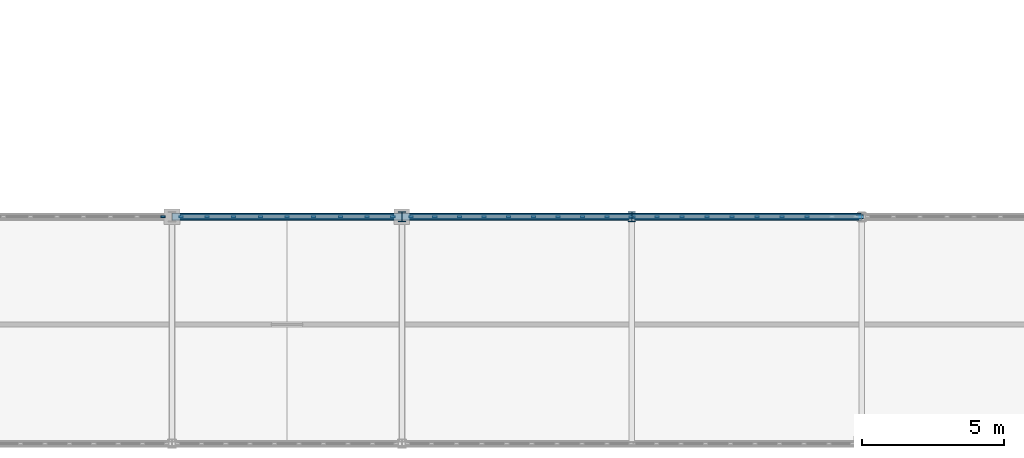
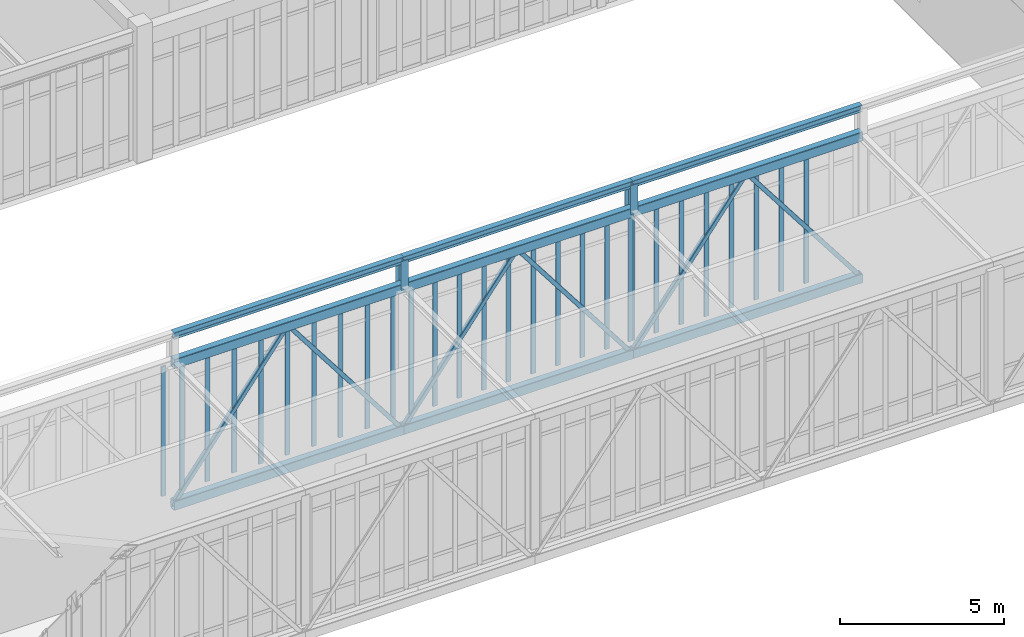
# One storey, part 32 of 107: 42 members, 3 beams, 4 elements without a shape of their own.
"""IFC4 building model written with IfcOpenShell, lengths in metres."""

from ifc_helpers import new_model, si_unit, direction, frame, origin, origin_2d, place, context, subcontext, project, spatial, rectangle, hollow_rectangle, i_section, extrude, material, material_profile, profile_set, type_object, element, aggregate, save


model = new_model("IFC4")

# Units and contexts
model_context = context("Model", 3, precision=1e-05, world=origin(), true_north=direction((0.0, 1.0)))
body_context = subcontext(model_context, "Body", "Model", "MODEL_VIEW")
ifc_project = project(units=[si_unit("LENGTHUNIT", "METRE"), si_unit("AREAUNIT", "SQUARE_METRE"), si_unit("VOLUMEUNIT", "CUBIC_METRE"), si_unit("PLANEANGLEUNIT", "RADIAN"), si_unit("MASSUNIT", "GRAM", prefix="KILO")], contexts=[model_context])

# Site, building, storey
site_placement = place(None, origin())
site = spatial("IfcSite", under=ifc_project, at=site_placement, CompositionType="ELEMENT")
building_placement = place(site_placement, origin())
building = spatial("IfcBuilding", under=site, at=building_placement, Name="Tarnveldt Square Police Headquarters", CompositionType="ELEMENT")
storey_placement = place(building_placement, frame((0.0, 0.0, 14.699951171875)))
storey = spatial("IfcBuildingStorey", under=building, at=storey_placement, Name="L03", CompositionType="ELEMENT", Elevation=14.699951171875)

# Beams
ifc_material_1 = material(Name="Steel 350W", Category="steel")
ifc_material_profile_1 = material_profile(ifc_material_1, i_section(OverallWidth=0.202880859375, OverallDepth=0.251953125, WebThickness=0.008056640625, FlangeThickness=0.013427734375, FilletRadius=0.012939453125, at=origin_2d()), Name="W250x58")
ifc_profile_set_1 = profile_set([ifc_material_profile_1], Name="Steel 350W")
beam_type = type_object("IfcBeamType", Name="BM-W250x58", PredefinedType="BEAM", material=ifc_profile_set_1)
for number, where, z_axis, x_axis, name in (
    (1, (72.89990234375, 80.0, 5.89013671875), (1.0, 0.0, 0.0), (0.0, 1.0, 0.0), "Skybridge SBN High Eave Beam 4"),
    (2, (81.0, 80.0, 5.89013671875), (1.0, 0.0, 0.0), (0.0, 1.0, 0.0), "Skybridge SBN High Eave Beam 5"),
):
    element("IfcBeam", number, at=place(storey_placement, frame(where, z_axis=z_axis, x_axis=x_axis)), inside=storey, type_object=beam_type, Name=name, PredefinedType="BEAM", context=body_context, shape_type="SweptSolid", body=[
        extrude(i_section(OverallWidth=0.202880859375, OverallDepth=0.251953125, WebThickness=0.008056640625, FlangeThickness=0.013427734375, FilletRadius=0.012939453125, at=origin_2d()), origin(), (0.0, 0.0, 1.0), 8.10009765625),
    ])
beam_placement = place(storey_placement, frame((89.10009765625, 80.0, 5.89013671875), z_axis=(1.0, 0.0, 0.0), x_axis=(0.0, 1.0, 0.0)))
element("IfcBeam", 3, at=beam_placement, inside=storey, type_object=beam_type, Name="Skybridge SBN High Eave Beam 6", PredefinedType="BEAM", context=body_context, shape_type="SweptSolid", body=[
    extrude(i_section(OverallWidth=0.202880859375, OverallDepth=0.251953125, WebThickness=0.008056640625, FlangeThickness=0.013427734375, FilletRadius=0.012939453125, at=origin_2d()), origin(), (0.0, 0.0, 1.0), 8.099853515625),
])

# Curtain wall, member
ifc_material_2 = material(Name="Triple-glazed low-e laminated vision glass", Category="glass")
curtain_wall_type_1 = type_object("IfcCurtainWallType", Name="CW-SB-752x484", PredefinedType="USERDEFINED", material=ifc_material_2)
curtain_wall_1_placement = place(storey_placement, origin())
curtain_wall_1 = element("IfcCurtainWall", 4, at=curtain_wall_1_placement, inside=storey, type_object=curtain_wall_type_1, Name="L03 Curtain Wall CW-L03-161", ObjectType="GLAZED CURTAIN WALL", PredefinedType="USERDEFINED")
ifc_material_3 = material(Name="Thermally broken anodised aluminium 6063-T6", Category="aluminium")
ifc_material_profile_2 = material_profile(ifc_material_3, rectangle(XDim=0.06494140625, YDim=0.159912109375, at=origin_2d()), Name="CW-M65x160")
ifc_profile_set_2 = profile_set([ifc_material_profile_2], Name="Thermally broken anodised aluminium 6063-T6")
member_type_1 = type_object("IfcMemberType", Name="CWM-65x160", PredefinedType="MULLION", material=ifc_profile_set_2)
member_1_placement = place(storey_placement, frame((72.577392578125, 80.0, 0.0), z_axis=(0.0, 0.0, 1.0), x_axis=(0.0, 1.0, 0.0)))
member_1 = element("IfcMember", 5, at=member_1_placement, type_object=member_type_1, Name="CW-SB95 mullion 9", PredefinedType="MULLION", context=body_context, shape_type="SweptSolid", body=[
    extrude(rectangle(XDim=0.06494140625, YDim=0.159912109375, at=origin_2d()), origin(), (0.0, 0.0, 1.0), 4.840087890625),
])
aggregate(curtain_wall_1, [member_1])

# Curtain wall, members
curtain_wall_2_placement = place(storey_placement, origin())
curtain_wall_2 = element("IfcCurtainWall", 6, at=curtain_wall_2_placement, inside=storey, type_object=curtain_wall_type_1, Name="L03 Curtain Wall CW-L03-162", ObjectType="GLAZED CURTAIN WALL", PredefinedType="USERDEFINED")
member_2_placement = place(storey_placement, frame((73.222412109375, 80.0, 0.0), z_axis=(0.0, 0.0, 1.0), x_axis=(0.0, 1.0, 0.0)))
member_2 = element("IfcMember", 7, at=member_2_placement, type_object=member_type_1, Name="CW-SB95 mullion 1", PredefinedType="MULLION", context=body_context, shape_type="SweptSolid", body=[
    extrude(rectangle(XDim=0.06494140625, YDim=0.159912109375, at=origin_2d()), origin(), (0.0, 0.0, 1.0), 4.840087890625),
])
member_3_placement = place(storey_placement, frame((74.1298828125, 80.0, 0.0), z_axis=(0.0, 0.0, 1.0), x_axis=(0.0, 1.0, 0.0)))
member_3 = element("IfcMember", 8, at=member_3_placement, type_object=member_type_1, Name="CW-SB95 mullion 2", PredefinedType="MULLION", context=body_context, shape_type="SweptSolid", body=[
    extrude(rectangle(XDim=0.06494140625, YDim=0.159912109375, at=origin_2d()), origin(), (0.0, 0.0, 1.0), 4.840087890625),
])
member_4_placement = place(storey_placement, frame((75.070068359375, 80.0, 0.0), z_axis=(0.0, 0.0, 1.0), x_axis=(0.0, 1.0, 0.0)))
member_4 = element("IfcMember", 9, at=member_4_placement, type_object=member_type_1, Name="CW-SB95 mullion 3", PredefinedType="MULLION", context=body_context, shape_type="SweptSolid", body=[
    extrude(rectangle(XDim=0.06494140625, YDim=0.159912109375, at=origin_2d()), origin(), (0.0, 0.0, 1.0), 4.840087890625),
])
member_5_placement = place(storey_placement, frame((76.010009765625, 80.0, 0.0), z_axis=(0.0, 0.0, 1.0), x_axis=(0.0, 1.0, 0.0)))
member_5 = element("IfcMember", 10, at=member_5_placement, type_object=member_type_1, Name="CW-SB95 mullion 4", PredefinedType="MULLION", context=body_context, shape_type="SweptSolid", body=[
    extrude(rectangle(XDim=0.06494140625, YDim=0.159912109375, at=origin_2d()), origin(), (0.0, 0.0, 1.0), 4.840087890625),
])
member_6_placement = place(storey_placement, frame((76.949951171875, 80.0, 0.0), z_axis=(0.0, 0.0, 1.0), x_axis=(0.0, 1.0, 0.0)))
member_6 = element("IfcMember", 11, at=member_6_placement, type_object=member_type_1, Name="CW-SB95 mullion 5", PredefinedType="MULLION", context=body_context, shape_type="SweptSolid", body=[
    extrude(rectangle(XDim=0.06494140625, YDim=0.159912109375, at=origin_2d()), origin(), (0.0, 0.0, 1.0), 4.840087890625),
])
member_7_placement = place(storey_placement, frame((77.889892578125, 80.0, 0.0), z_axis=(0.0, 0.0, 1.0), x_axis=(0.0, 1.0, 0.0)))
member_7 = element("IfcMember", 12, at=member_7_placement, type_object=member_type_1, Name="CW-SB95 mullion 6", PredefinedType="MULLION", context=body_context, shape_type="SweptSolid", body=[
    extrude(rectangle(XDim=0.06494140625, YDim=0.159912109375, at=origin_2d()), origin(), (0.0, 0.0, 1.0), 4.840087890625),
])
member_8_placement = place(storey_placement, frame((78.830078125, 80.0, 0.0), z_axis=(0.0, 0.0, 1.0), x_axis=(0.0, 1.0, 0.0)))
member_8 = element("IfcMember", 13, at=member_8_placement, type_object=member_type_1, Name="CW-SB95 mullion 7", PredefinedType="MULLION", context=body_context, shape_type="SweptSolid", body=[
    extrude(rectangle(XDim=0.06494140625, YDim=0.159912109375, at=origin_2d()), origin(), (0.0, 0.0, 1.0), 4.840087890625),
])
member_9_placement = place(storey_placement, frame((79.77001953125, 80.0, 0.0), z_axis=(0.0, 0.0, 1.0), x_axis=(0.0, 1.0, 0.0)))
member_9 = element("IfcMember", 14, at=member_9_placement, type_object=member_type_1, Name="CW-SB95 mullion 8", PredefinedType="MULLION", context=body_context, shape_type="SweptSolid", body=[
    extrude(rectangle(XDim=0.06494140625, YDim=0.159912109375, at=origin_2d()), origin(), (0.0, 0.0, 1.0), 4.840087890625),
])
member_10_placement = place(storey_placement, frame((80.677490234375, 80.0, 0.0), z_axis=(0.0, 0.0, 1.0), x_axis=(0.0, 1.0, 0.0)))
member_10 = element("IfcMember", 15, at=member_10_placement, type_object=member_type_1, Name="CW-SB95 mullion 9", PredefinedType="MULLION", context=body_context, shape_type="SweptSolid", body=[
    extrude(rectangle(XDim=0.06494140625, YDim=0.159912109375, at=origin_2d()), origin(), (0.0, 0.0, 1.0), 4.840087890625),
])
aggregate(curtain_wall_2, [member_2, member_3, member_4, member_5, member_6, member_7, member_8, member_9, member_10])

curtain_wall_type_2 = type_object("IfcCurtainWallType", Name="CW-SB-781x484", PredefinedType="USERDEFINED", material=ifc_material_2)
curtain_wall_3_placement = place(storey_placement, origin())
curtain_wall_3 = element("IfcCurtainWall", 16, at=curtain_wall_3_placement, inside=storey, type_object=curtain_wall_type_2, Name="L03 Curtain Wall CW-L03-163", ObjectType="GLAZED CURTAIN WALL", PredefinedType="USERDEFINED")
member_11_placement = place(storey_placement, frame((81.322509765625, 80.0, 0.0), z_axis=(0.0, 0.0, 1.0), x_axis=(0.0, 1.0, 0.0)))
member_11 = element("IfcMember", 17, at=member_11_placement, type_object=member_type_1, Name="CW-SB92 mullion 1", PredefinedType="MULLION", context=body_context, shape_type="SweptSolid", body=[
    extrude(rectangle(XDim=0.06494140625, YDim=0.159912109375, at=origin_2d()), origin(), (0.0, 0.0, 1.0), 4.840087890625),
])
member_12_placement = place(storey_placement, frame((82.15771484375, 80.0, 0.0), z_axis=(0.0, 0.0, 1.0), x_axis=(0.0, 1.0, 0.0)))
member_12 = element("IfcMember", 18, at=member_12_placement, type_object=member_type_1, Name="CW-SB92 mullion 2", PredefinedType="MULLION", context=body_context, shape_type="SweptSolid", body=[
    extrude(rectangle(XDim=0.06494140625, YDim=0.159912109375, at=origin_2d()), origin(), (0.0, 0.0, 1.0), 4.840087890625),
])
member_13_placement = place(storey_placement, frame((83.025634765625, 80.0, 0.0), z_axis=(0.0, 0.0, 1.0), x_axis=(0.0, 1.0, 0.0)))
member_13 = element("IfcMember", 19, at=member_13_placement, type_object=member_type_1, Name="CW-SB92 mullion 3", PredefinedType="MULLION", context=body_context, shape_type="SweptSolid", body=[
    extrude(rectangle(XDim=0.06494140625, YDim=0.159912109375, at=origin_2d()), origin(), (0.0, 0.0, 1.0), 4.840087890625),
])
member_14_placement = place(storey_placement, frame((83.893310546875, 80.0, 0.0), z_axis=(0.0, 0.0, 1.0), x_axis=(0.0, 1.0, 0.0)))
member_14 = element("IfcMember", 20, at=member_14_placement, type_object=member_type_1, Name="CW-SB92 mullion 4", PredefinedType="MULLION", context=body_context, shape_type="SweptSolid", body=[
    extrude(rectangle(XDim=0.06494140625, YDim=0.159912109375, at=origin_2d()), origin(), (0.0, 0.0, 1.0), 4.840087890625),
])
member_15_placement = place(storey_placement, frame((84.76123046875, 80.0, 0.0), z_axis=(0.0, 0.0, 1.0), x_axis=(0.0, 1.0, 0.0)))
member_15 = element("IfcMember", 21, at=member_15_placement, type_object=member_type_1, Name="CW-SB92 mullion 5", PredefinedType="MULLION", context=body_context, shape_type="SweptSolid", body=[
    extrude(rectangle(XDim=0.06494140625, YDim=0.159912109375, at=origin_2d()), origin(), (0.0, 0.0, 1.0), 4.840087890625),
])
member_16_placement = place(storey_placement, frame((85.62890625, 80.0, 0.0), z_axis=(0.0, 0.0, 1.0), x_axis=(0.0, 1.0, 0.0)))
member_16 = element("IfcMember", 22, at=member_16_placement, type_object=member_type_1, Name="CW-SB92 mullion 6", PredefinedType="MULLION", context=body_context, shape_type="SweptSolid", body=[
    extrude(rectangle(XDim=0.06494140625, YDim=0.159912109375, at=origin_2d()), origin(), (0.0, 0.0, 1.0), 4.840087890625),
])
member_17_placement = place(storey_placement, frame((86.49658203125, 80.0, 0.0), z_axis=(0.0, 0.0, 1.0), x_axis=(0.0, 1.0, 0.0)))
member_17 = element("IfcMember", 23, at=member_17_placement, type_object=member_type_1, Name="CW-SB92 mullion 7", PredefinedType="MULLION", context=body_context, shape_type="SweptSolid", body=[
    extrude(rectangle(XDim=0.06494140625, YDim=0.159912109375, at=origin_2d()), origin(), (0.0, 0.0, 1.0), 4.840087890625),
])
member_18_placement = place(storey_placement, frame((87.364501953125, 80.0, 0.0), z_axis=(0.0, 0.0, 1.0), x_axis=(0.0, 1.0, 0.0)))
member_18 = element("IfcMember", 24, at=member_18_placement, type_object=member_type_1, Name="CW-SB92 mullion 8", PredefinedType="MULLION", context=body_context, shape_type="SweptSolid", body=[
    extrude(rectangle(XDim=0.06494140625, YDim=0.159912109375, at=origin_2d()), origin(), (0.0, 0.0, 1.0), 4.840087890625),
])
member_19_placement = place(storey_placement, frame((88.232177734375, 80.0, 0.0), z_axis=(0.0, 0.0, 1.0), x_axis=(0.0, 1.0, 0.0)))
member_19 = element("IfcMember", 25, at=member_19_placement, type_object=member_type_1, Name="CW-SB92 mullion 9", PredefinedType="MULLION", context=body_context, shape_type="SweptSolid", body=[
    extrude(rectangle(XDim=0.06494140625, YDim=0.159912109375, at=origin_2d()), origin(), (0.0, 0.0, 1.0), 4.840087890625),
])
member_20_placement = place(storey_placement, frame((89.0673828125, 80.0, 0.0), z_axis=(0.0, 0.0, 1.0), x_axis=(0.0, 1.0, 0.0)))
member_20 = element("IfcMember", 26, at=member_20_placement, type_object=member_type_1, Name="CW-SB92 mullion 10", PredefinedType="MULLION", context=body_context, shape_type="SweptSolid", body=[
    extrude(rectangle(XDim=0.06494140625, YDim=0.159912109375, at=origin_2d()), origin(), (0.0, 0.0, 1.0), 4.840087890625),
])
aggregate(curtain_wall_3, [member_11, member_12, member_13, member_14, member_15, member_16, member_17, member_18, member_19, member_20])

curtain_wall_type_3 = type_object("IfcCurtainWallType", Name="CW-SB-793x484", PredefinedType="USERDEFINED", material=ifc_material_2)
curtain_wall_4_placement = place(storey_placement, origin())
curtain_wall_4 = element("IfcCurtainWall", 27, at=curtain_wall_4_placement, inside=storey, type_object=curtain_wall_type_3, Name="L03 Curtain Wall CW-L03-164", ObjectType="GLAZED CURTAIN WALL", PredefinedType="USERDEFINED")
member_21_placement = place(storey_placement, frame((89.132568359375, 80.0, 0.0), z_axis=(0.0, 0.0, 1.0), x_axis=(0.0, 1.0, 0.0)))
member_21 = element("IfcMember", 28, at=member_21_placement, type_object=member_type_1, Name="CW-SB91 mullion 1", PredefinedType="MULLION", context=body_context, shape_type="SweptSolid", body=[
    extrude(rectangle(XDim=0.06494140625, YDim=0.159912109375, at=origin_2d()), origin(), (0.0, 0.0, 1.0), 4.840087890625),
])
member_22_placement = place(storey_placement, frame((89.981201171875, 80.0, 0.0), z_axis=(0.0, 0.0, 1.0), x_axis=(0.0, 1.0, 0.0)))
member_22 = element("IfcMember", 29, at=member_22_placement, type_object=member_type_1, Name="CW-SB91 mullion 2", PredefinedType="MULLION", context=body_context, shape_type="SweptSolid", body=[
    extrude(rectangle(XDim=0.06494140625, YDim=0.159912109375, at=origin_2d()), origin(), (0.0, 0.0, 1.0), 4.840087890625),
])
member_23_placement = place(storey_placement, frame((90.862548828125, 80.0, 0.0), z_axis=(0.0, 0.0, 1.0), x_axis=(0.0, 1.0, 0.0)))
member_23 = element("IfcMember", 30, at=member_23_placement, type_object=member_type_1, Name="CW-SB91 mullion 3", PredefinedType="MULLION", context=body_context, shape_type="SweptSolid", body=[
    extrude(rectangle(XDim=0.06494140625, YDim=0.159912109375, at=origin_2d()), origin(), (0.0, 0.0, 1.0), 4.840087890625),
])
member_24_placement = place(storey_placement, frame((91.74365234375, 80.0, 0.0), z_axis=(0.0, 0.0, 1.0), x_axis=(0.0, 1.0, 0.0)))
member_24 = element("IfcMember", 31, at=member_24_placement, type_object=member_type_1, Name="CW-SB91 mullion 4", PredefinedType="MULLION", context=body_context, shape_type="SweptSolid", body=[
    extrude(rectangle(XDim=0.06494140625, YDim=0.159912109375, at=origin_2d()), origin(), (0.0, 0.0, 1.0), 4.840087890625),
])
member_25_placement = place(storey_placement, frame((92.625, 80.0, 0.0), z_axis=(0.0, 0.0, 1.0), x_axis=(0.0, 1.0, 0.0)))
member_25 = element("IfcMember", 32, at=member_25_placement, type_object=member_type_1, Name="CW-SB91 mullion 5", PredefinedType="MULLION", context=body_context, shape_type="SweptSolid", body=[
    extrude(rectangle(XDim=0.06494140625, YDim=0.159912109375, at=origin_2d()), origin(), (0.0, 0.0, 1.0), 4.840087890625),
])
member_26_placement = place(storey_placement, frame((93.506103515625, 80.0, 0.0), z_axis=(0.0, 0.0, 1.0), x_axis=(0.0, 1.0, 0.0)))
member_26 = element("IfcMember", 33, at=member_26_placement, type_object=member_type_1, Name="CW-SB91 mullion 6", PredefinedType="MULLION", context=body_context, shape_type="SweptSolid", body=[
    extrude(rectangle(XDim=0.06494140625, YDim=0.159912109375, at=origin_2d()), origin(), (0.0, 0.0, 1.0), 4.840087890625),
])
member_27_placement = place(storey_placement, frame((94.387451171875, 80.0, 0.0), z_axis=(0.0, 0.0, 1.0), x_axis=(0.0, 1.0, 0.0)))
member_27 = element("IfcMember", 34, at=member_27_placement, type_object=member_type_1, Name="CW-SB91 mullion 7", PredefinedType="MULLION", context=body_context, shape_type="SweptSolid", body=[
    extrude(rectangle(XDim=0.06494140625, YDim=0.159912109375, at=origin_2d()), origin(), (0.0, 0.0, 1.0), 4.840087890625),
])
member_28_placement = place(storey_placement, frame((95.2685546875, 80.0, 0.0), z_axis=(0.0, 0.0, 1.0), x_axis=(0.0, 1.0, 0.0)))
member_28 = element("IfcMember", 35, at=member_28_placement, type_object=member_type_1, Name="CW-SB91 mullion 8", PredefinedType="MULLION", context=body_context, shape_type="SweptSolid", body=[
    extrude(rectangle(XDim=0.06494140625, YDim=0.159912109375, at=origin_2d()), origin(), (0.0, 0.0, 1.0), 4.840087890625),
])
aggregate(curtain_wall_4, [member_21, member_22, member_23, member_24, member_25, member_26, member_27, member_28])

# Members
ifc_material_profile_3 = material_profile(ifc_material_1, i_section(OverallWidth=0.257080078125, OverallDepth=0.363037109375, WebThickness=0.012939453125, FlangeThickness=0.021728515625, FilletRadius=0.01611328125, at=origin_2d()), Name="W360x122")
ifc_profile_set_3 = profile_set([ifc_material_profile_3], Name="Steel 350W")
member_type_2 = type_object("IfcMemberType", Name="MEM-CT-POST", PredefinedType="STRUT", material=ifc_profile_set_3)
for number, where, z_axis, x_axis, name in (
    (36, (81.0, 80.0, 4.85009765625), (0.0, 0.0, 1.0), (1.0, 0.0, 0.0), "Skybridge SBN Roof Post 5"),
    (37, (89.10009765625, 80.0, 4.85009765625), (0.0, 0.0, 1.0), (1.0, 0.0, 0.0), "Skybridge SBN Roof Post 6"),
):
    element("IfcMember", number, at=place(storey_placement, frame(where, z_axis=z_axis, x_axis=x_axis)), inside=storey, type_object=member_type_2, Name=name, PredefinedType="STRUT", context=body_context, shape_type="SweptSolid", body=[
        extrude(i_section(OverallWidth=0.257080078125, OverallDepth=0.363037109375, WebThickness=0.012939453125, FlangeThickness=0.021728515625, FilletRadius=0.01611328125, at=origin_2d()), origin(), (0.0, 0.0, 1.0), 1.079833984375),
    ])
ifc_material_profile_4 = material_profile(ifc_material_1, hollow_rectangle(XDim=0.25390625, YDim=0.355712890625, WallThickness=0.015869140625, InnerFilletRadius=0.015869140625, OuterFilletRadius=0.03173828125, at=origin_2d()), Name="HSS356x254x16")
ifc_profile_set_4 = profile_set([ifc_material_profile_4], Name="Steel 350W")
member_type_3 = type_object("IfcMemberType", Name="MEM-SB-CHORD", PredefinedType="CHORD", material=ifc_profile_set_4)
for number, where, z_axis, x_axis, name in (
    (38, (72.89990234375, 80.0, -0.43994140625), (1.0, 0.0, 0.0), (0.0, 1.0, 0.0), "Skybridge SBN Bottom Chord N4"),
    (39, (72.89990234375, 80.0, 4.85009765625), (1.0, 0.0, 0.0), (0.0, 1.0, 0.0), "Skybridge SBN Top Chord N4"),
    (40, (81.0, 80.0, -0.43994140625), (1.0, 0.0, 0.0), (0.0, 1.0, 0.0), "Skybridge SBN Bottom Chord N5"),
    (41, (81.0, 80.0, 4.85009765625), (1.0, 0.0, 0.0), (0.0, 1.0, 0.0), "Skybridge SBN Top Chord N5"),
):
    element("IfcMember", number, at=place(storey_placement, frame(where, z_axis=z_axis, x_axis=x_axis)), inside=storey, type_object=member_type_3, Name=name, PredefinedType="CHORD", context=body_context, shape_type="SweptSolid", body=[
        extrude(hollow_rectangle(XDim=0.25390625, YDim=0.355712890625, WallThickness=0.015869140625, InnerFilletRadius=0.015869140625, OuterFilletRadius=0.03173828125, at=origin_2d()), origin(), (0.0, 0.0, 1.0), 8.10009765625),
    ])
for number, where, z_axis, x_axis, name in (
    (42, (89.10009765625, 80.0, -0.43994140625), (1.0, 0.0, 0.0), (0.0, 1.0, 0.0), "Skybridge SBN Bottom Chord N6"),
    (43, (89.10009765625, 80.0, 4.85009765625), (1.0, 0.0, 0.0), (0.0, 1.0, 0.0), "Skybridge SBN Top Chord N6"),
):
    element("IfcMember", number, at=place(storey_placement, frame(where, z_axis=z_axis, x_axis=x_axis)), inside=storey, type_object=member_type_3, Name=name, PredefinedType="CHORD", context=body_context, shape_type="SweptSolid", body=[
        extrude(hollow_rectangle(XDim=0.25390625, YDim=0.355712890625, WallThickness=0.015869140625, InnerFilletRadius=0.015869140625, OuterFilletRadius=0.03173828125, at=origin_2d()), origin(), (0.0, 0.0, 1.0), 8.099853515625),
    ])
ifc_material_profile_5 = material_profile(ifc_material_1, hollow_rectangle(XDim=0.15234375, YDim=0.15234375, WallThickness=0.009521484375, InnerFilletRadius=0.009521484375, OuterFilletRadius=0.01904296875, at=origin_2d()), Name="HSS152x152x9.5")
ifc_profile_set_5 = profile_set([ifc_material_profile_5], Name="Steel 350W")
member_type_4 = type_object("IfcMemberType", Name="MEM-SB-WEB", PredefinedType="BRACE", material=ifc_profile_set_5)
for number, where, z_axis, x_axis, name in (
    (44, (72.89990234375, 80.0, -0.43994140625), (0.607897507531, 0.0, 0.794015503839), (0.0, 1.0, 0.0), "Skybridge SBN Web A4"),
    (45, (81.0, 80.0, -0.43994140625), (-0.607897507531, 0.0, 0.794015503839), (0.0, -1.0, 0.0), "Skybridge SBN Web B4"),
    (46, (81.0, 80.0, -0.43994140625), (0.607897507531, 0.0, 0.794015503839), (0.0, 1.0, 0.0), "Skybridge SBN Web A5"),
    (47, (89.10009765625, 80.0, -0.43994140625), (-0.607897507531, 0.0, 0.794015503839), (0.0, -1.0, 0.0), "Skybridge SBN Web B5"),
    (48, (89.10009765625, 80.0, -0.43994140625), (0.607874403773, 0.0, 0.794033191521), (0.0, 1.0, 0.0), "Skybridge SBN Web A6"),
    (49, (97.199951171875, 80.0, -0.43994140625), (-0.607897507531, 0.0, 0.794015503839), (0.0, -1.0, 0.0), "Skybridge SBN Web B6"),
):
    element("IfcMember", number, at=place(storey_placement, frame(where, z_axis=z_axis, x_axis=x_axis)), inside=storey, type_object=member_type_4, Name=name, PredefinedType="BRACE", context=body_context, shape_type="SweptSolid", body=[
        extrude(hollow_rectangle(XDim=0.15234375, YDim=0.15234375, WallThickness=0.009521484375, InnerFilletRadius=0.009521484375, OuterFilletRadius=0.01904296875, at=origin_2d()), origin(), (0.0, 0.0, 1.0), 6.662353515625),
    ])

save(model, "model.ifc")
